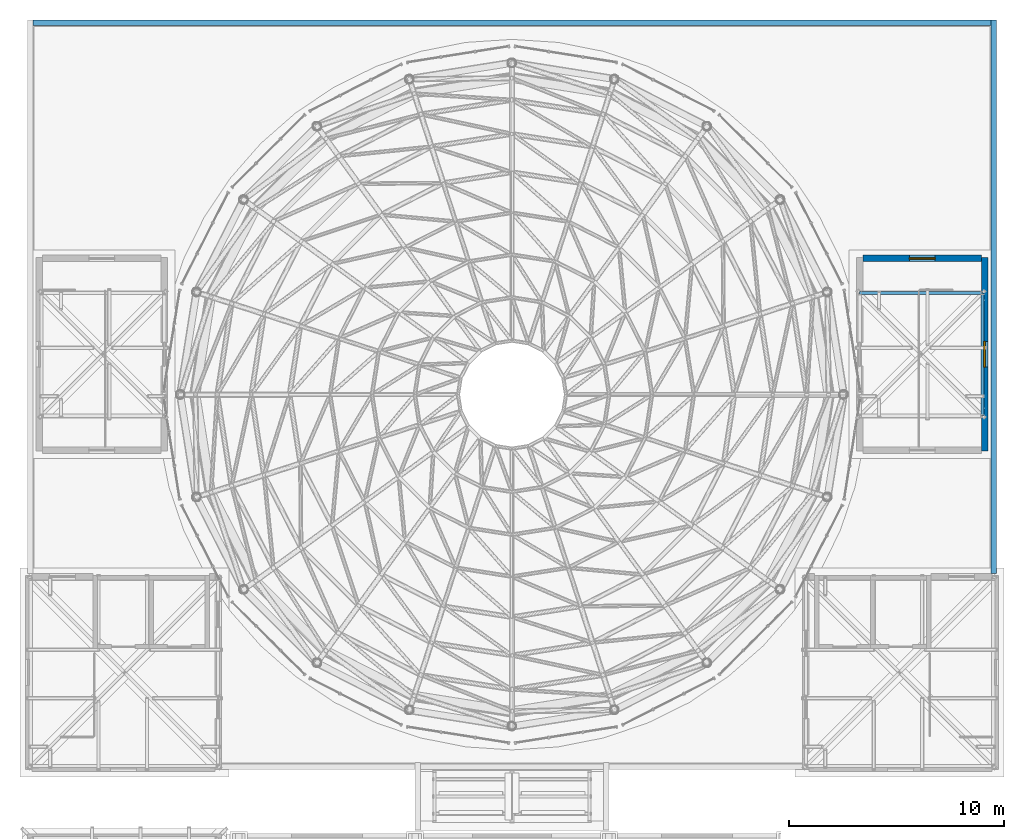
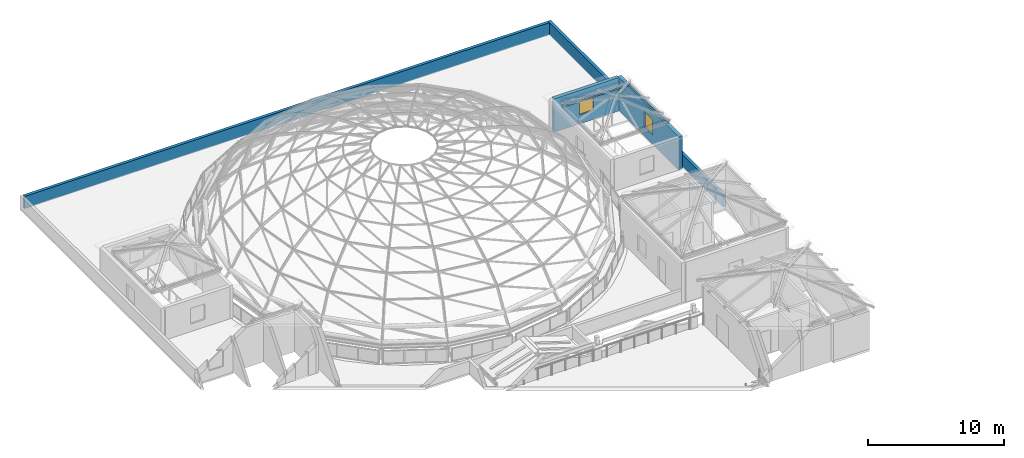
# One storey, part 50 of 69: 6 walls, 2 windows, 2 openings.
"""IFC4 building model written with IfcOpenShell, lengths in metres."""

from ifc_helpers import new_model, si_unit, direction, frame, frame_2d, origin, place, context, subcontext, project, spatial, rectangle, extrude, material, layer, layer_set, type_object, element, fill, save


model = new_model("IFC4")

# Units and contexts
model_context = context("Model", 3, precision=1e-05, world=origin(), true_north=direction((0.0, 1.0)))
body_context = subcontext(model_context, "Body", "Model", "MODEL_VIEW")
ifc_project = project(units=[si_unit("LENGTHUNIT", "METRE"), si_unit("AREAUNIT", "SQUARE_METRE"), si_unit("VOLUMEUNIT", "CUBIC_METRE"), si_unit("PLANEANGLEUNIT", "RADIAN"), si_unit("MASSUNIT", "GRAM", prefix="KILO")], contexts=[model_context])

# Site, building, storey
site_placement = place(None, origin())
site = spatial("IfcSite", under=ifc_project, at=site_placement, CompositionType="ELEMENT")
building_placement = place(site_placement, origin())
building = spatial("IfcBuilding", under=site, at=building_placement, Name="Kallimachos Central Library", CompositionType="ELEMENT")
storey_placement = place(building_placement, frame((0.0, 0.0, 23.39990234375)))
storey = spatial("IfcBuildingStorey", under=building, at=storey_placement, Name="L05", CompositionType="ELEMENT", Elevation=23.39990234375)

# Walls
ifc_material_1 = material(Name="Concrete C30/37", Category="concrete")
ifc_layer_1 = layer(ifc_material_1, 0.14990234375)
ifc_layer_set_1 = layer_set([ifc_layer_1], Name="Concrete C30/37 eaves kerb 150")
wall_type_1 = type_object("IfcWallType", Name="Concrete C30/37 eaves kerb 150", PredefinedType="SOLIDWALL", material=ifc_layer_set_1)
wall_1_placement = place(storey_placement, frame((104.14990234375, 109.125, 3.2001953125), z_axis=(0.0, 0.0, 1.0), x_axis=(1.0, 0.0, 0.0)))
element("IfcWall", 1, at=wall_1_placement, inside=storey, type_object=wall_type_1, Name="Head-house roof V1-NE eaves kerb N", PredefinedType="SOLIDWALL", context=body_context, shape_type="SweptSolid", body=[
    extrude(rectangle(XDim=5.7001953125, YDim=0.14990234375, at=frame_2d((2.85009765625, 0.0))), origin(), (0.0, 0.0, 1.0), 0.14990234375),
])
wall_2_placement = place(storey_placement, frame((109.85009765625, 103.425048828125, 3.2001953125), z_axis=(0.0, 0.0, 1.0), x_axis=(0.0, 1.0, 0.0)))
element("IfcWall", 2, at=wall_2_placement, inside=storey, type_object=wall_type_1, Name="Head-house roof V1-NE eaves kerb E", PredefinedType="SOLIDWALL", context=body_context, shape_type="SweptSolid", body=[
    extrude(rectangle(XDim=5.699951171875, YDim=0.14990234375, at=frame_2d((2.85009765625, 0.0))), origin(), (0.0, 0.0, 1.0), 0.14990234375),
])

# Wall, opening, window
ifc_material_2 = material(Name="Concrete C30/37 faced with glazed ceramic tile", Category="concrete")
ifc_layer_2 = layer(ifc_material_2, 0.300048828125)
ifc_layer_set_2 = layer_set([ifc_layer_2], Name="Head-house wall 300")
wall_type_2 = type_object("IfcWallType", Name="Head-house wall 300", PredefinedType="SOLIDWALL", material=ifc_layer_set_2)
wall_3_placement = place(storey_placement, frame((109.949951171875, 101.77490234375, 0.0), z_axis=(0.0, 0.0, 1.0), x_axis=(0.0, 1.0, 0.0)))
wall_3 = element("IfcWall", 3, at=wall_3_placement, inside=storey, type_object=wall_type_2, Name="Head-house wall V1-NE", PredefinedType="SOLIDWALL", context=body_context, shape_type="SweptSolid", body=[
    extrude(rectangle(XDim=9.0, YDim=0.300048828125, at=frame_2d((4.5, 0.0))), origin(), (0.0, 0.0, 1.0), 3.0),
])
opening_1_placement = place(wall_3_placement, frame((3.89990234375, 0.0, 0.800048828125)))
opening_1 = element("IfcOpeningElement", 4, at=opening_1_placement, cuts=wall_3, Name="Opening W72", PredefinedType="OPENING", context=body_context, shape_type="SweptSolid", body=[
    extrude(rectangle(XDim=1.199951171875, YDim=1.39990234375, at=frame_2d((0.60009765625, 0.699951171875))), frame((0.0, 0.159912109375, 0.0), z_axis=(0.0, -1.0, 0.0), x_axis=(1.0, 0.0, 0.0)), (0.0, 0.0, 1.0), 0.320068359375),
])
ifc_material_3 = material(Name="Anodised aluminium louvre", Category="aluminium")
window_type = type_object("IfcWindowType", Name="Plant louvre 1200x1400", PartitioningType="SINGLE_PANEL", PredefinedType="WINDOW", material=ifc_material_3)
window_1_placement = place(opening_1_placement, origin())
window_1 = element("IfcWindow", 5, at=window_1_placement, inside=storey, type_object=window_type, Name="V1-WIN-L05-012", OverallHeight=1.39990234375, OverallWidth=1.199951171875, PartitioningType="SINGLE_PANEL", PredefinedType="WINDOW", context=body_context, shape_type="SweptSolid", body=[
    extrude(rectangle(XDim=1.199951171875, YDim=1.39990234375, at=frame_2d((0.60009765625, 0.699951171875))), frame((0.0, 0.030029296875, 0.0), z_axis=(0.0, -1.0, 0.0), x_axis=(1.0, 0.0, 0.0)), (0.0, 0.0, 1.0), 0.06005859375),
])
fill(opening_1, window_1)

wall_4_placement = place(storey_placement, frame((104.300048828125, 110.72509765625, 0.0), z_axis=(0.0, 0.0, 1.0), x_axis=(1.0, 0.0, 0.0)))
wall_4 = element("IfcWall", 6, at=wall_4_placement, inside=storey, type_object=wall_type_2, Name="Head-house wall V1-NE", PredefinedType="SOLIDWALL", context=body_context, shape_type="SweptSolid", body=[
    extrude(rectangle(XDim=5.5, YDim=0.300048828125, at=frame_2d((2.75, 0.0))), origin(), (0.0, 0.0, 1.0), 3.0),
])
opening_2_placement = place(wall_4_placement, frame((2.14990234375, 0.0, 0.800048828125)))
opening_2 = element("IfcOpeningElement", 7, at=opening_2_placement, cuts=wall_4, Name="Opening W74", PredefinedType="OPENING", context=body_context, shape_type="SweptSolid", body=[
    extrude(rectangle(XDim=1.199951171875, YDim=1.39990234375, at=frame_2d((0.60009765625, 0.699951171875))), frame((0.0, 0.159912109375, 0.0), z_axis=(0.0, -1.0, 0.0), x_axis=(1.0, 0.0, 0.0)), (0.0, 0.0, 1.0), 0.320068359375),
])
window_2_placement = place(opening_2_placement, origin())
window_2 = element("IfcWindow", 8, at=window_2_placement, inside=storey, type_object=window_type, Name="V1-WIN-L05-014", OverallHeight=1.39990234375, OverallWidth=1.199951171875, PartitioningType="SINGLE_PANEL", PredefinedType="WINDOW", context=body_context, shape_type="SweptSolid", body=[
    extrude(rectangle(XDim=1.199951171875, YDim=1.39990234375, at=frame_2d((0.60009765625, 0.699951171875))), frame((0.0, 0.030029296875, 0.0), z_axis=(0.0, -1.0, 0.0), x_axis=(1.0, 0.0, 0.0)), (0.0, 0.0, 1.0), 0.06005859375),
])
fill(opening_2, window_2)

# Walls
ifc_material_4 = material(Name="Pentelic marble coping on blockwork", Category="masonry")
ifc_layer_3 = layer(ifc_material_4, 0.25)
ifc_layer_set_3 = layer_set([ifc_layer_3], Name="Stone parapet 250")
wall_type_3 = type_object("IfcWallType", Name="Stone parapet 250", PredefinedType="PARAPET", material=ifc_layer_set_3)
wall_5_placement = place(storey_placement, frame((110.375, 96.10009765625, 0.0), z_axis=(0.0, 0.0, 1.0), x_axis=(0.0, 1.0, 0.0)))
element("IfcWall", 9, at=wall_5_placement, inside=storey, type_object=wall_type_3, Name="Roof parapet", PredefinedType="PARAPET", context=body_context, shape_type="SweptSolid", body=[
    extrude(rectangle(XDim=25.699951171875, YDim=0.25, at=frame_2d((12.85009765625, 0.0))), origin(), (0.0, 0.0, 1.0), 1.10009765625),
])
wall_6_placement = place(storey_placement, frame((65.75, 121.675048828125, 0.0), z_axis=(0.0, 0.0, 1.0), x_axis=(1.0, 0.0, 0.0)))
element("IfcWall", 10, at=wall_6_placement, inside=storey, type_object=wall_type_3, Name="Roof parapet", PredefinedType="PARAPET", context=body_context, shape_type="SweptSolid", body=[
    extrude(rectangle(XDim=44.5, YDim=0.25, at=frame_2d((22.25, 0.0))), origin(), (0.0, 0.0, 1.0), 1.10009765625),
])

save(model, "model.ifc")
